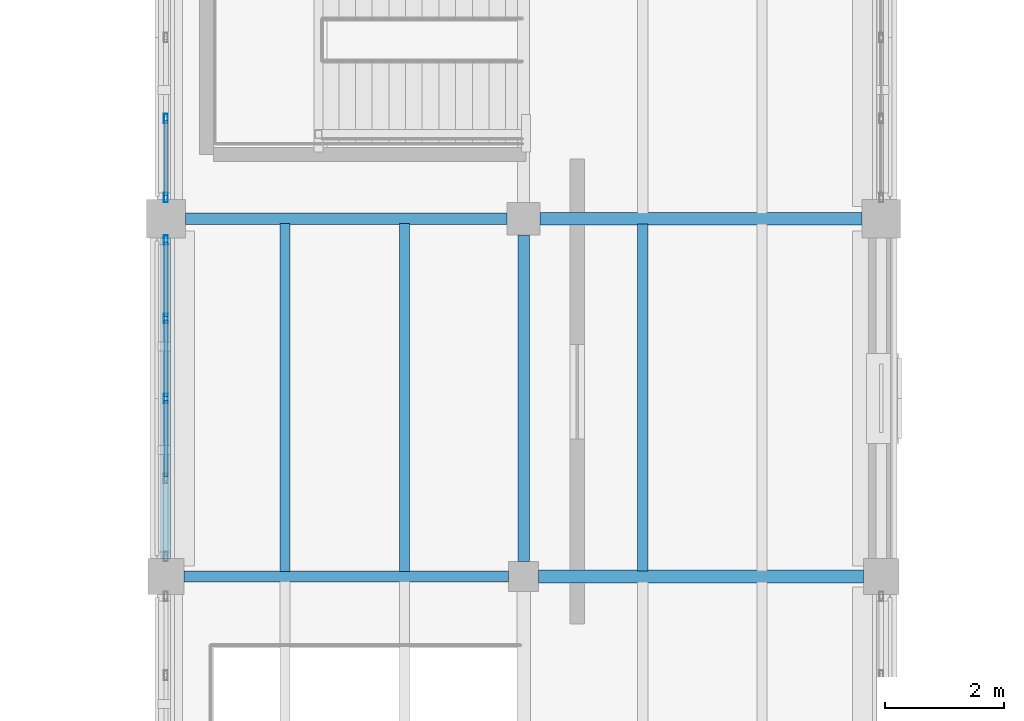
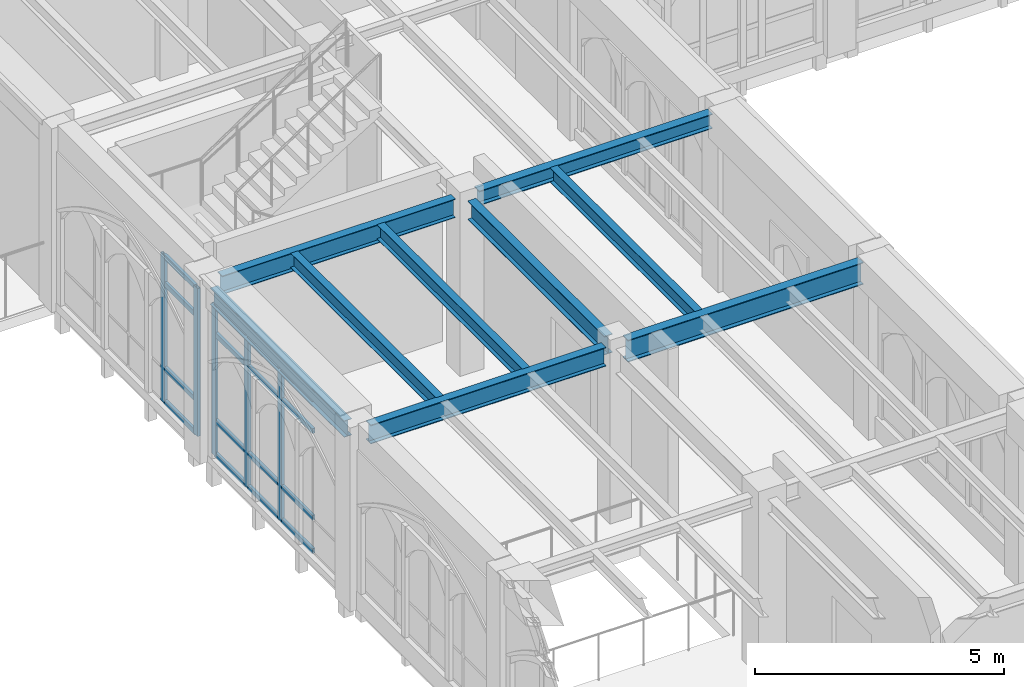
# One storey, part 21 of 127: 21 members, 9 beams, 2 elements without a shape of their own.
"""IFC4 building model written with IfcOpenShell, lengths in metres."""

from ifc_helpers import new_model, si_unit, direction, frame, origin, origin_2d, place, context, subcontext, project, spatial, hollow_rectangle, i_section, extrude, material, layer, layer_set, material_profile, profile_set, type_object, element, aggregate, save


model = new_model("IFC4")

# Units and contexts
model_context = context("Model", 3, precision=1e-05, world=origin(), true_north=direction((0.0, 1.0)))
body_context = subcontext(model_context, "Body", "Model", "MODEL_VIEW")
ifc_project = project(units=[si_unit("LENGTHUNIT", "METRE"), si_unit("AREAUNIT", "SQUARE_METRE"), si_unit("VOLUMEUNIT", "CUBIC_METRE"), si_unit("PLANEANGLEUNIT", "RADIAN"), si_unit("MASSUNIT", "GRAM", prefix="KILO")], contexts=[model_context])

# Site, building, storey
site_placement = place(None, origin())
site = spatial("IfcSite", under=ifc_project, at=site_placement, CompositionType="ELEMENT")
building_placement = place(site_placement, origin())
building = spatial("IfcBuilding", under=site, at=building_placement, Name="Cumevento Cable Car Station", CompositionType="ELEMENT")
storey_placement = place(building_placement, frame((0.0, 0.0, 4.5)))
storey = spatial("IfcBuildingStorey", under=building, at=storey_placement, Name="L02", CompositionType="ELEMENT", Elevation=4.5)

# Curtain wall, members
ifc_material_1 = material(Name="Anodised Bronze Aluminium AW-6063-T6", Category="aluminium")
ifc_layer_1 = layer(ifc_material_1, 0.2080078125)
ifc_layer_set_1 = layer_set([ifc_layer_1], Name="Anodised Bronze Aluminium AW-6063-T6")
curtain_wall_type_1 = type_object("IfcCurtainWallType", Name="Lancet Curtain Wall CW-09 1370", PredefinedType="NOTDEFINED", material=ifc_layer_set_1)
curtain_wall_1_placement = place(storey_placement, origin())
curtain_wall_1 = element("IfcCurtainWall", 1, at=curtain_wall_1_placement, inside=storey, type_object=curtain_wall_type_1, Name="Lancet Curtain Wall CW-09 L02 #40", PredefinedType="NOTDEFINED")
ifc_material_2 = material(Name="Anodised Bronze Aluminium AW-6063-T6", Category="aluminium")
ifc_material_profile_1 = material_profile(ifc_material_2, hollow_rectangle(XDim=0.06494140625, YDim=0.159912109375, WallThickness=0.00390625, at=origin_2d()), Name="ALUM65x160x4")
ifc_profile_set_1 = profile_set([ifc_material_profile_1], Name="Anodised Bronze Aluminium AW-6063-T6")
member_type_1 = type_object("IfcMemberType", Name="Curtain Mullion CWM-01 ALUM65x160x4", PredefinedType="MULLION", material=ifc_profile_set_1)
member_1_placement = place(storey_placement, frame((58.0, 23.987548828125, 0.159912109375), z_axis=(0.0, 0.0, 1.0), x_axis=(-1.0, 0.0, 0.0)))
member_1 = element("IfcMember", 2, at=member_1_placement, type_object=member_type_1, Name="CW-09 mullion 3", PredefinedType="MULLION", context=body_context, shape_type="SweptSolid", body=[
    extrude(hollow_rectangle(XDim=0.06494140625, YDim=0.159912109375, WallThickness=0.00390625, at=origin_2d()), origin(), (0.0, 0.0, 1.0), 3.673095703125),
])
member_2_placement = place(storey_placement, frame((58.0, 25.331298828125, 0.159912109375), z_axis=(0.0, 0.0, 1.0), x_axis=(-1.0, 0.0, 0.0)))
member_2 = element("IfcMember", 3, at=member_2_placement, type_object=member_type_1, Name="CW-09 mullion 4", PredefinedType="MULLION", context=body_context, shape_type="SweptSolid", body=[
    extrude(hollow_rectangle(XDim=0.06494140625, YDim=0.159912109375, WallThickness=0.00390625, at=origin_2d()), origin(), (0.0, 0.0, 1.0), 3.673095703125),
])
member_3_placement = place(storey_placement, frame((58.0, 26.642578125, 0.159912109375), z_axis=(0.0, 0.0, 1.0), x_axis=(-1.0, 0.0, 0.0)))
member_3 = element("IfcMember", 4, at=member_3_placement, type_object=member_type_1, Name="CW-09 mullion 5", PredefinedType="MULLION", context=body_context, shape_type="SweptSolid", body=[
    extrude(hollow_rectangle(XDim=0.06494140625, YDim=0.159912109375, WallThickness=0.00390625, at=origin_2d()), origin(), (0.0, 0.0, 1.0), 3.673095703125),
])

ifc_material_3 = material(Name="Anodised Bronze Aluminium AW-6063-T6", Category="aluminium")
ifc_layer_2 = layer(ifc_material_3, 0.214111328125)
ifc_layer_set_2 = layer_set([ifc_layer_2], Name="Anodised Bronze Aluminium AW-6063-T6")
curtain_wall_type_2 = type_object("IfcCurtainWallType", Name="Lancet Curtain Wall CW-10 1410", PredefinedType="NOTDEFINED", material=ifc_layer_set_2)
curtain_wall_2_placement = place(storey_placement, origin())
curtain_wall_2 = element("IfcCurtainWall", 5, at=curtain_wall_2_placement, inside=storey, type_object=curtain_wall_type_2, Name="Lancet Curtain Wall CW-10 L02 #41", PredefinedType="NOTDEFINED")
member_4_placement = place(storey_placement, frame((58.0, 27.357421875, 0.2099609375), z_axis=(0.0, 0.0, 1.0), x_axis=(-1.0, 0.0, 0.0)))
member_4 = element("IfcMember", 6, at=member_4_placement, type_object=member_type_1, Name="CW-10 mullion 1", PredefinedType="MULLION", context=body_context, shape_type="SweptSolid", body=[
    extrude(hollow_rectangle(XDim=0.06494140625, YDim=0.159912109375, WallThickness=0.00390625, at=origin_2d()), origin(), (0.0, 0.0, 1.0), 3.623046875),
])
member_5_placement = place(storey_placement, frame((58.0, 28.68115234375, 0.2099609375), z_axis=(0.0, 0.0, 1.0), x_axis=(-1.0, 0.0, 0.0)))
member_5 = element("IfcMember", 7, at=member_5_placement, type_object=member_type_1, Name="CW-10 mullion 2", PredefinedType="MULLION", context=body_context, shape_type="SweptSolid", body=[
    extrude(hollow_rectangle(XDim=0.06494140625, YDim=0.159912109375, WallThickness=0.00390625, at=origin_2d()), origin(), (0.0, 0.0, 1.0), 3.623046875),
])

# Member
ifc_material_4 = material(Name="Anodised Bronze Aluminium AW-6063-T6", Category="aluminium")
ifc_material_profile_2 = material_profile(ifc_material_4, hollow_rectangle(XDim=0.06494140625, YDim=0.1201171875, WallThickness=0.00390625, at=origin_2d()), Name="ALUT65x120x4")
ifc_profile_set_2 = profile_set([ifc_material_profile_2], Name="Anodised Bronze Aluminium AW-6063-T6")
member_type_2 = type_object("IfcMemberType", Name="Curtain Transom CWT-01 ALUT65x120x4", PredefinedType="USERDEFINED", material=ifc_profile_set_2)
member_6_placement = place(storey_placement, frame((58.0, 22.67626953125, 0.1923828125), z_axis=(0.0, 1.0, 0.0), x_axis=(-1.0, 0.0, 0.0)))
member_6 = element("IfcMember", 8, at=member_6_placement, type_object=member_type_2, Name="CW-09 transom 2.1", ObjectType="TRANSOM", PredefinedType="USERDEFINED", context=body_context, shape_type="SweptSolid", body=[
    extrude(hollow_rectangle(XDim=0.06494140625, YDim=0.1201171875, WallThickness=0.00390625, at=origin_2d()), origin(), (0.0, 0.0, 1.0), 1.27880859375),
])

member_7_placement = place(storey_placement, frame((58.0, 22.67626953125, 1.010009765625), z_axis=(0.0, 1.0, 0.0), x_axis=(-1.0, 0.0, 0.0)))
member_7 = element("IfcMember", 9, at=member_7_placement, type_object=member_type_2, Name="CW-09 transom 2.2", ObjectType="TRANSOM", PredefinedType="USERDEFINED", context=body_context, shape_type="SweptSolid", body=[
    extrude(hollow_rectangle(XDim=0.06494140625, YDim=0.1201171875, WallThickness=0.00390625, at=origin_2d()), origin(), (0.0, 0.0, 1.0), 1.27880859375),
])

member_8_placement = place(storey_placement, frame((58.0, 22.67626953125, 3.133056640625), z_axis=(0.0, 1.0, 0.0), x_axis=(-1.0, 0.0, 0.0)))
member_8 = element("IfcMember", 10, at=member_8_placement, type_object=member_type_2, Name="CW-09 transom 2.3", ObjectType="TRANSOM", PredefinedType="USERDEFINED", context=body_context, shape_type="SweptSolid", body=[
    extrude(hollow_rectangle(XDim=0.06494140625, YDim=0.1201171875, WallThickness=0.00390625, at=origin_2d()), origin(), (0.0, 0.0, 1.0), 1.27880859375),
])

member_9_placement = place(storey_placement, frame((58.0, 22.67626953125, 3.800537109375), z_axis=(0.0, 1.0, 0.0), x_axis=(-1.0, 0.0, 0.0)))
member_9 = element("IfcMember", 11, at=member_9_placement, type_object=member_type_2, Name="CW-09 transom 2.4", ObjectType="TRANSOM", PredefinedType="USERDEFINED", context=body_context, shape_type="SweptSolid", body=[
    extrude(hollow_rectangle(XDim=0.06494140625, YDim=0.1201171875, WallThickness=0.00390625, at=origin_2d()), origin(), (0.0, 0.0, 1.0), 1.27880859375),
])

member_10_placement = place(storey_placement, frame((58.0, 24.02001953125, 0.1923828125), z_axis=(0.0, 1.0, 0.0), x_axis=(-1.0, 0.0, 0.0)))
member_10 = element("IfcMember", 12, at=member_10_placement, type_object=member_type_2, Name="CW-09 transom 3.1", ObjectType="TRANSOM", PredefinedType="USERDEFINED", context=body_context, shape_type="SweptSolid", body=[
    extrude(hollow_rectangle(XDim=0.06494140625, YDim=0.1201171875, WallThickness=0.00390625, at=origin_2d()), origin(), (0.0, 0.0, 1.0), 1.27880859375),
])

member_11_placement = place(storey_placement, frame((58.0, 24.02001953125, 1.010009765625), z_axis=(0.0, 1.0, 0.0), x_axis=(-1.0, 0.0, 0.0)))
member_11 = element("IfcMember", 13, at=member_11_placement, type_object=member_type_2, Name="CW-09 transom 3.2", ObjectType="TRANSOM", PredefinedType="USERDEFINED", context=body_context, shape_type="SweptSolid", body=[
    extrude(hollow_rectangle(XDim=0.06494140625, YDim=0.1201171875, WallThickness=0.00390625, at=origin_2d()), origin(), (0.0, 0.0, 1.0), 1.27880859375),
])

member_12_placement = place(storey_placement, frame((58.0, 24.02001953125, 3.133056640625), z_axis=(0.0, 1.0, 0.0), x_axis=(-1.0, 0.0, 0.0)))
member_12 = element("IfcMember", 14, at=member_12_placement, type_object=member_type_2, Name="CW-09 transom 3.3", ObjectType="TRANSOM", PredefinedType="USERDEFINED", context=body_context, shape_type="SweptSolid", body=[
    extrude(hollow_rectangle(XDim=0.06494140625, YDim=0.1201171875, WallThickness=0.00390625, at=origin_2d()), origin(), (0.0, 0.0, 1.0), 1.27880859375),
])

member_13_placement = place(storey_placement, frame((58.0, 24.02001953125, 3.800537109375), z_axis=(0.0, 1.0, 0.0), x_axis=(-1.0, 0.0, 0.0)))
member_13 = element("IfcMember", 15, at=member_13_placement, type_object=member_type_2, Name="CW-09 transom 3.4", ObjectType="TRANSOM", PredefinedType="USERDEFINED", context=body_context, shape_type="SweptSolid", body=[
    extrude(hollow_rectangle(XDim=0.06494140625, YDim=0.1201171875, WallThickness=0.00390625, at=origin_2d()), origin(), (0.0, 0.0, 1.0), 1.27880859375),
])

member_14_placement = place(storey_placement, frame((58.0, 25.36376953125, 0.1923828125), z_axis=(0.0, 1.0, 0.0), x_axis=(-1.0, 0.0, 0.0)))
member_14 = element("IfcMember", 16, at=member_14_placement, type_object=member_type_2, Name="CW-09 transom 4.1", ObjectType="TRANSOM", PredefinedType="USERDEFINED", context=body_context, shape_type="SweptSolid", body=[
    extrude(hollow_rectangle(XDim=0.06494140625, YDim=0.1201171875, WallThickness=0.00390625, at=origin_2d()), origin(), (0.0, 0.0, 1.0), 1.246337890625),
])

member_15_placement = place(storey_placement, frame((58.0, 25.36376953125, 1.010009765625), z_axis=(0.0, 1.0, 0.0), x_axis=(-1.0, 0.0, 0.0)))
member_15 = element("IfcMember", 17, at=member_15_placement, type_object=member_type_2, Name="CW-09 transom 4.2", ObjectType="TRANSOM", PredefinedType="USERDEFINED", context=body_context, shape_type="SweptSolid", body=[
    extrude(hollow_rectangle(XDim=0.06494140625, YDim=0.1201171875, WallThickness=0.00390625, at=origin_2d()), origin(), (0.0, 0.0, 1.0), 1.246337890625),
])

member_16_placement = place(storey_placement, frame((58.0, 25.36376953125, 3.133056640625), z_axis=(0.0, 1.0, 0.0), x_axis=(-1.0, 0.0, 0.0)))
member_16 = element("IfcMember", 18, at=member_16_placement, type_object=member_type_2, Name="CW-09 transom 4.3", ObjectType="TRANSOM", PredefinedType="USERDEFINED", context=body_context, shape_type="SweptSolid", body=[
    extrude(hollow_rectangle(XDim=0.06494140625, YDim=0.1201171875, WallThickness=0.00390625, at=origin_2d()), origin(), (0.0, 0.0, 1.0), 1.246337890625),
])

member_17_placement = place(storey_placement, frame((58.0, 25.36376953125, 3.800537109375), z_axis=(0.0, 1.0, 0.0), x_axis=(-1.0, 0.0, 0.0)))
member_17 = element("IfcMember", 19, at=member_17_placement, type_object=member_type_2, Name="CW-09 transom 4.4", ObjectType="TRANSOM", PredefinedType="USERDEFINED", context=body_context, shape_type="SweptSolid", body=[
    extrude(hollow_rectangle(XDim=0.06494140625, YDim=0.1201171875, WallThickness=0.00390625, at=origin_2d()), origin(), (0.0, 0.0, 1.0), 1.246337890625),
])

aggregate(curtain_wall_1, [member_1, member_2, member_3, member_6, member_7, member_8, member_9, member_10, member_11, member_12, member_13, member_14, member_15, member_16, member_17])

member_18_placement = place(storey_placement, frame((58.0, 27.389892578125, 0.242431640625), z_axis=(0.0, 1.0, 0.0), x_axis=(-1.0, 0.0, 0.0)))
member_18 = element("IfcMember", 20, at=member_18_placement, type_object=member_type_2, Name="CW-10 transom 1.1", ObjectType="TRANSOM", PredefinedType="USERDEFINED", context=body_context, shape_type="SweptSolid", body=[
    extrude(hollow_rectangle(XDim=0.06494140625, YDim=0.1201171875, WallThickness=0.00390625, at=origin_2d()), origin(), (0.0, 0.0, 1.0), 1.2587890625),
])

member_19_placement = place(storey_placement, frame((58.0, 27.389892578125, 1.06005859375), z_axis=(0.0, 1.0, 0.0), x_axis=(-1.0, 0.0, 0.0)))
member_19 = element("IfcMember", 21, at=member_19_placement, type_object=member_type_2, Name="CW-10 transom 1.2", ObjectType="TRANSOM", PredefinedType="USERDEFINED", context=body_context, shape_type="SweptSolid", body=[
    extrude(hollow_rectangle(XDim=0.06494140625, YDim=0.1201171875, WallThickness=0.00390625, at=origin_2d()), origin(), (0.0, 0.0, 1.0), 1.2587890625),
])

member_20_placement = place(storey_placement, frame((58.0, 27.389892578125, 3.133056640625), z_axis=(0.0, 1.0, 0.0), x_axis=(-1.0, 0.0, 0.0)))
member_20 = element("IfcMember", 22, at=member_20_placement, type_object=member_type_2, Name="CW-10 transom 1.3", ObjectType="TRANSOM", PredefinedType="USERDEFINED", context=body_context, shape_type="SweptSolid", body=[
    extrude(hollow_rectangle(XDim=0.06494140625, YDim=0.1201171875, WallThickness=0.00390625, at=origin_2d()), origin(), (0.0, 0.0, 1.0), 1.2587890625),
])

member_21_placement = place(storey_placement, frame((58.0, 27.389892578125, 3.800537109375), z_axis=(0.0, 1.0, 0.0), x_axis=(-1.0, 0.0, 0.0)))
member_21 = element("IfcMember", 23, at=member_21_placement, type_object=member_type_2, Name="CW-10 transom 1.4", ObjectType="TRANSOM", PredefinedType="USERDEFINED", context=body_context, shape_type="SweptSolid", body=[
    extrude(hollow_rectangle(XDim=0.06494140625, YDim=0.1201171875, WallThickness=0.00390625, at=origin_2d()), origin(), (0.0, 0.0, 1.0), 1.2587890625),
])

aggregate(curtain_wall_2, [member_4, member_5, member_18, member_19, member_20, member_21])

# Beams
ifc_material_5 = material(Name="Steel ASTM A572 Grade 50", Category="steel")
ifc_material_profile_3 = material_profile(ifc_material_5, i_section(OverallWidth=0.18994140625, OverallDepth=0.45703125, WebThickness=0.009033203125, FlangeThickness=0.014404296875, at=origin_2d()), Name="W460x74.0")
ifc_profile_set_3 = profile_set([ifc_material_profile_3], Name="Steel ASTM A572 Grade 50")
beam_type_1 = type_object("IfcBeamType", Name="Structural Beam BM-04 W460x74.0", PredefinedType="BEAM", material=ifc_profile_set_3)
beam_1_placement = place(storey_placement, frame((58.324951171875, 27.0, 4.011474609375), z_axis=(1.0, 0.0, 0.0), x_axis=(0.0, 1.0, 0.0)))
element("IfcBeam", 24, at=beam_1_placement, inside=storey, type_object=beam_type_1, Name="Beam BM-04 L02 #481", PredefinedType="BEAM", context=body_context, shape_type="SweptSolid", body=[
    extrude(i_section(OverallWidth=0.18994140625, OverallDepth=0.45703125, WebThickness=0.009033203125, FlangeThickness=0.014404296875, at=origin_2d()), origin(), (0.0, 0.0, 1.0), 5.400146484375),
])
beam_2_placement = place(storey_placement, frame((64.0, 21.25, 4.011474609375), z_axis=(0.0, 1.0, 0.0), x_axis=(-1.0, 0.0, 0.0)))
element("IfcBeam", 25, at=beam_2_placement, inside=storey, type_object=beam_type_1, Name="Beam BM-04 L02 #494", PredefinedType="BEAM", context=body_context, shape_type="SweptSolid", body=[
    extrude(i_section(OverallWidth=0.18994140625, OverallDepth=0.45703125, WebThickness=0.009033203125, FlangeThickness=0.014404296875, at=origin_2d()), origin(), (0.0, 0.0, 1.0), 5.47509765625),
])
ifc_material_6 = material(Name="Steel ASTM A572 Grade 50", Category="steel")
ifc_material_profile_4 = material_profile(ifc_material_6, i_section(OverallWidth=0.205078125, OverallDepth=0.35400390625, WebThickness=0.009521484375, FlangeThickness=0.016845703125, at=origin_2d()), Name="W360x79.0")
ifc_profile_set_4 = profile_set([ifc_material_profile_4], Name="Steel ASTM A572 Grade 50")
beam_type_2 = type_object("IfcBeamType", Name="Structural Beam BM-05 W360x79.0", PredefinedType="BEAM", material=ifc_profile_set_4)
beam_3_placement = place(storey_placement, frame((64.27490234375, 27.0, 4.06298828125), z_axis=(1.0, 0.0, 0.0), x_axis=(0.0, 1.0, 0.0)))
element("IfcBeam", 26, at=beam_3_placement, inside=storey, type_object=beam_type_2, Name="Beam BM-05 L02 #482", PredefinedType="BEAM", context=body_context, shape_type="SweptSolid", body=[
    extrude(i_section(OverallWidth=0.205078125, OverallDepth=0.35400390625, WebThickness=0.009521484375, FlangeThickness=0.016845703125, at=origin_2d()), origin(), (0.0, 0.0, 1.0), 5.400146484375),
])
ifc_material_7 = material(Name="Steel ASTM A572 Grade 50", Category="steel")
ifc_material_profile_5 = material_profile(ifc_material_7, i_section(OverallWidth=0.19189453125, OverallDepth=0.462890625, WebThickness=0.010498046875, FlangeThickness=0.017578125, at=origin_2d()), Name="W460x89.0")
ifc_profile_set_5 = profile_set([ifc_material_profile_5], Name="Steel ASTM A572 Grade 50")
beam_type_3 = type_object("IfcBeamType", Name="Structural Beam BM-10 W460x89.0", PredefinedType="BEAM", material=ifc_profile_set_5)
beam_4_placement = place(storey_placement, frame((58.300048828125, 21.0, 4.008544921875), z_axis=(1.0, 0.0, 0.0), x_axis=(0.0, 1.0, 0.0)))
element("IfcBeam", 27, at=beam_4_placement, inside=storey, type_object=beam_type_3, Name="Beam BM-10 L02 #479", PredefinedType="BEAM", context=body_context, shape_type="SweptSolid", body=[
    extrude(i_section(OverallWidth=0.19189453125, OverallDepth=0.462890625, WebThickness=0.010498046875, FlangeThickness=0.017578125, at=origin_2d()), origin(), (0.0, 0.0, 1.0), 5.449951171875),
])
ifc_material_8 = material(Name="Steel ASTM A572 Grade 50", Category="steel")
ifc_material_profile_6 = material_profile(ifc_material_8, i_section(OverallWidth=0.2109375, OverallDepth=0.5390625, WebThickness=0.01171875, FlangeThickness=0.018798828125, at=origin_2d()), Name="W530x109.0")
ifc_profile_set_6 = profile_set([ifc_material_profile_6], Name="Steel ASTM A572 Grade 50")
beam_type_4 = type_object("IfcBeamType", Name="Structural Beam BM-11 W530x109.0", PredefinedType="BEAM", material=ifc_profile_set_6)
beam_5_placement = place(storey_placement, frame((64.25, 21.0, 3.970458984375), z_axis=(1.0, 0.0, 0.0), x_axis=(0.0, 1.0, 0.0)))
element("IfcBeam", 28, at=beam_5_placement, inside=storey, type_object=beam_type_4, Name="Beam BM-11 L02 #480", PredefinedType="BEAM", context=body_context, shape_type="SweptSolid", body=[
    extrude(i_section(OverallWidth=0.2109375, OverallDepth=0.5390625, WebThickness=0.01171875, FlangeThickness=0.018798828125, at=origin_2d()), origin(), (0.0, 0.0, 1.0), 5.449951171875),
])
ifc_material_9 = material(Name="Steel ASTM A572 Grade 50", Category="steel")
ifc_material_profile_7 = material_profile(ifc_material_9, i_section(OverallWidth=0.1708984375, OverallDepth=0.35498046875, WebThickness=0.007080078125, FlangeThickness=0.01171875, at=origin_2d()), Name="W360x51.0")
ifc_profile_set_7 = profile_set([ifc_material_profile_7], Name="Steel ASTM A572 Grade 50")
beam_type_5 = type_object("IfcBeamType", Name="Structural Joist JS-01 W360x51.0", PredefinedType="JOIST", material=ifc_profile_set_7)
for number, where, z_axis, x_axis, name in (
    (29, (60.0, 21.083984375, 4.0625), (0.0, 1.0, 0.0), (-1.0, 0.0, 0.0), "Composite Floor Joist JS-01 L02 #754"),
    (30, (62.0, 21.083984375, 4.0625), (0.0, 1.0, 0.0), (-1.0, 0.0, 0.0), "Composite Floor Joist JS-01 L02 #758"),
):
    element("IfcBeam", number, at=place(storey_placement, frame(where, z_axis=z_axis, x_axis=x_axis)), inside=storey, type_object=beam_type_5, Name=name, PredefinedType="JOIST", context=body_context, shape_type="SweptSolid", body=[
        extrude(i_section(OverallWidth=0.1708984375, OverallDepth=0.35498046875, WebThickness=0.007080078125, FlangeThickness=0.01171875, at=origin_2d()), origin(), (0.0, 0.0, 1.0), 5.8330078125),
    ])
beam_6_placement = place(storey_placement, frame((66.0, 21.093505859375, 4.0625), z_axis=(0.0, 1.0, 0.0), x_axis=(-1.0, 0.0, 0.0)))
element("IfcBeam", 31, at=beam_6_placement, inside=storey, type_object=beam_type_5, Name="Composite Floor Joist JS-01 L02 #762", PredefinedType="JOIST", context=body_context, shape_type="SweptSolid", body=[
    extrude(i_section(OverallWidth=0.1708984375, OverallDepth=0.35498046875, WebThickness=0.007080078125, FlangeThickness=0.01171875, at=origin_2d()), origin(), (0.0, 0.0, 1.0), 5.81591796875),
])
ifc_material_10 = material(Name="Steel ASTM A572 Grade 50", Category="steel")
ifc_material_profile_8 = material_profile(ifc_material_10, i_section(OverallWidth=0.177978515625, OverallDepth=0.406982421875, WebThickness=0.0078125, FlangeThickness=0.0126953125, at=origin_2d()), Name="W410x60.0")
ifc_profile_set_8 = profile_set([ifc_material_profile_8], Name="Steel ASTM A572 Grade 50")
beam_type_6 = type_object("IfcBeamType", Name="Structural Spandrel SP-01 W410x60.0", PredefinedType="SPANDREL", material=ifc_profile_set_8)
beam_7_placement = place(storey_placement, frame((58.0, 21.300048828125, 4.03662109375), z_axis=(0.0, 1.0, 0.0), x_axis=(-1.0, 0.0, 0.0)))
element("IfcBeam", 32, at=beam_7_placement, inside=storey, type_object=beam_type_6, Name="Beam SP-01 L02 #489", PredefinedType="SPANDREL", context=body_context, shape_type="SweptSolid", body=[
    extrude(i_section(OverallWidth=0.177978515625, OverallDepth=0.406982421875, WebThickness=0.0078125, FlangeThickness=0.0126953125, at=origin_2d()), origin(), (0.0, 0.0, 1.0), 5.375),
])

save(model, "model.ifc")
